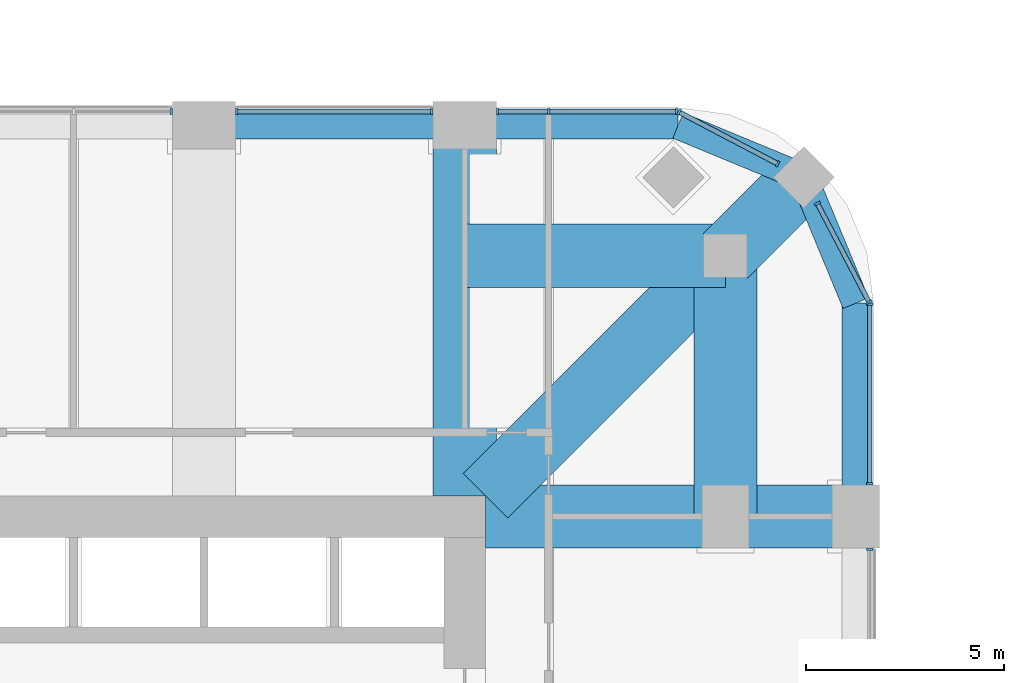
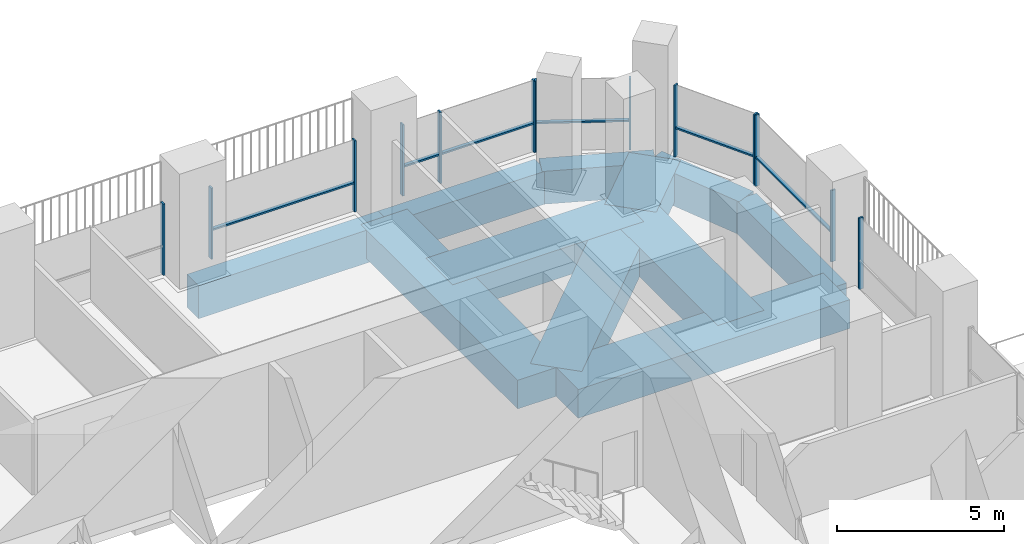
# One storey, part 7 of 20: 19 members, 11 beams, 7 elements without a shape of their own.
"""IFC4 building model written with IfcOpenShell, lengths in metres."""

from ifc_helpers import new_model, si_unit, direction, frame, origin, origin_2d, place, context, subcontext, project, spatial, rectangle, extrude, material, material_profile, profile_set, type_object, element, aggregate, save


model = new_model("IFC4")

# Units and contexts
model_context = context("Model", 3, precision=1e-05, world=origin(), true_north=direction((0.0, 1.0)))
body_context = subcontext(model_context, "Body", "Model", "MODEL_VIEW")
ifc_project = project(units=[si_unit("LENGTHUNIT", "METRE"), si_unit("AREAUNIT", "SQUARE_METRE"), si_unit("VOLUMEUNIT", "CUBIC_METRE"), si_unit("PLANEANGLEUNIT", "RADIAN"), si_unit("MASSUNIT", "GRAM", prefix="KILO")], contexts=[model_context])

# Site, building, storey
site_placement = place(None, origin())
site = spatial("IfcSite", under=ifc_project, at=site_placement, CompositionType="ELEMENT")
building_placement = place(site_placement, origin())
building = spatial("IfcBuilding", under=site, at=building_placement, Name="Cobogo Forest Laboratory Tower", CompositionType="ELEMENT")
storey_placement = place(building_placement, frame((0.0, 0.0, 210.300048828125)))
storey = spatial("IfcBuildingStorey", under=building, at=storey_placement, Name="L48", CompositionType="ELEMENT", Elevation=210.300048828125)

# Beams
ifc_material_1 = material(Name="Concrete HA-50 (C50/60)", Category="concrete")
ifc_material_profile_1 = material_profile(ifc_material_1, rectangle(XDim=1.60009765625, YDim=1.050048828125, at=origin_2d()), Name="RC 1600x1050")
ifc_profile_set_1 = profile_set([ifc_material_profile_1], Name="Concrete HA-50 (C50/60)")
beam_type_1 = type_object("IfcBeamType", Name="Laboratory floor wide beam 1600x1050", PredefinedType="BEAM", material=ifc_profile_set_1)
for number, where, z_axis, x_axis, name in (
    (1, (39.60009765625, 33.52490234375, -0.824951171875), (0.0, 1.0, 0.0), (-1.0, 0.0, 0.0), "RB8 R-7-N L48"),
    (2, (40.125, 33.0, -0.824951171875), (1.0, 0.0, 0.0), (0.0, 1.0, 0.0), "RB8 R-F-E L48"),
):
    element("IfcBeam", number, at=place(storey_placement, frame(where, z_axis=z_axis, x_axis=x_axis)), inside=storey, type_object=beam_type_1, Name=name, PredefinedType="BEAM", context=body_context, shape_type="SweptSolid", body=[
        extrude(rectangle(XDim=1.60009765625, YDim=1.050048828125, at=origin_2d()), origin(), (0.0, 0.0, 1.0), 9.375),
    ])
beam_1_placement = place(storey_placement, frame((46.199951171875, 39.60009765625, -0.824951171875), z_axis=(0.0, -1.0, 0.0), x_axis=(1.0, 0.0, 0.0)))
element("IfcBeam", 3, at=beam_1_placement, inside=storey, type_object=beam_type_1, Name="RB8 G-NE-XC L48", PredefinedType="BEAM", context=body_context, shape_type="SweptSolid", body=[
    extrude(rectangle(XDim=1.60009765625, YDim=1.050048828125, at=origin_2d()), origin(), (0.0, 0.0, 1.0), 6.60009765625),
])
beam_2_placement = place(storey_placement, frame((46.199951171875, 39.60009765625, -0.824951171875), z_axis=(-1.0, 0.0, 0.0), x_axis=(0.0, -1.0, 0.0)))
element("IfcBeam", 4, at=beam_2_placement, inside=storey, type_object=beam_type_1, Name="RB8 G-NE-YC L48", PredefinedType="BEAM", context=body_context, shape_type="SweptSolid", body=[
    extrude(rectangle(XDim=1.60009765625, YDim=1.050048828125, at=origin_2d()), origin(), (0.0, 0.0, 1.0), 6.599853515625),
])
beam_3_placement = place(storey_placement, frame((48.181884765625, 41.58203125, -0.824951171875), z_axis=(-0.707106781187, -0.707106781187, 0.0), x_axis=(0.707106781187, -0.707106781187, 0.0)))
element("IfcBeam", 5, at=beam_3_placement, inside=storey, type_object=beam_type_1, Name="RB8 G-NE-D1 L48", PredefinedType="BEAM", context=body_context, shape_type="SweptSolid", body=[
    extrude(rectangle(XDim=1.60009765625, YDim=1.050048828125, at=origin_2d()), origin(), (0.0, 0.0, 1.0), 2.802978515625),
])
beam_4_placement = place(storey_placement, frame((46.199951171875, 39.60009765625, -0.824951171875), z_axis=(-0.707092572697, -0.70712098939, 0.0), x_axis=(0.70712098939, -0.707092572697, 0.0)))
element("IfcBeam", 6, at=beam_4_placement, inside=storey, type_object=beam_type_1, Name="RB8 G-NE-D2 L48", PredefinedType="BEAM", context=body_context, shape_type="SweptSolid", body=[
    extrude(rectangle(XDim=1.60009765625, YDim=1.050048828125, at=origin_2d()), origin(), (0.0, 0.0, 1.0), 8.591552734375),
])

# Curtain wall, member
ifc_material_2 = material(Name="Aluminium curtain wall", Category="aluminium")
curtain_wall_type = type_object("IfcCurtainWallType", Name="CW-2 unitised curtain wall, solar control glazing, laboratory floors zones C and D", PredefinedType="USERDEFINED", material=ifc_material_2)
curtain_wall_1_placement = place(storey_placement, origin())
curtain_wall_1 = element("IfcCurtainWall", 7, at=curtain_wall_1_placement, inside=storey, type_object=curtain_wall_type, Name="Curtain wall 12 L48", ObjectType="UNITISED CURTAIN WALL", PredefinedType="USERDEFINED")
ifc_material_3 = material(Name="Aluminium mullion", Category="aluminium")
ifc_material_profile_2 = material_profile(ifc_material_3, rectangle(XDim=0.06005859375, YDim=0.159912109375, at=origin_2d()), Name="AL 60x160")
ifc_profile_set_2 = profile_set([ifc_material_profile_2], Name="Aluminium mullion")
member_type_1 = type_object("IfcMemberType", Name="MU-1 aluminium mullion 60x160", PredefinedType="MULLION", material=ifc_profile_set_2)
member_1_placement = place(storey_placement, frame((49.85009765625, 32.169921875, 0.0), z_axis=(0.0, 0.0, 1.0), x_axis=(0.0, 1.0, 0.0)))
member_1 = element("IfcMember", 8, at=member_1_placement, type_object=member_type_1, Name="CW-2 mullion 2", PredefinedType="MULLION", context=body_context, shape_type="SweptSolid", body=[
    extrude(rectangle(XDim=0.06005859375, YDim=0.159912109375, at=origin_2d()), origin(), (0.0, 0.0, 1.0), 2.599853515625),
])
aggregate(curtain_wall_1, [member_1])

# Curtain wall, members
curtain_wall_2_placement = place(storey_placement, origin())
curtain_wall_2 = element("IfcCurtainWall", 9, at=curtain_wall_2_placement, inside=storey, type_object=curtain_wall_type, Name="Curtain wall 13 L48", ObjectType="UNITISED CURTAIN WALL", PredefinedType="USERDEFINED")
member_2_placement = place(storey_placement, frame((49.85009765625, 33.830078125, 0.0), z_axis=(0.0, 0.0, 1.0), x_axis=(0.0, 1.0, 0.0)))
member_2 = element("IfcMember", 10, at=member_2_placement, type_object=member_type_1, Name="CW-2 mullion 1", PredefinedType="MULLION", context=body_context, shape_type="SweptSolid", body=[
    extrude(rectangle(XDim=0.06005859375, YDim=0.159912109375, at=origin_2d()), origin(), (0.0, 0.0, 1.0), 2.599853515625),
])
member_3_placement = place(storey_placement, frame((49.85009765625, 38.3701171875, 0.0), z_axis=(0.0, 0.0, 1.0), x_axis=(0.0, 1.0, 0.0)))
member_3 = element("IfcMember", 11, at=member_3_placement, type_object=member_type_1, Name="CW-2 mullion 2", PredefinedType="MULLION", context=body_context, shape_type="SweptSolid", body=[
    extrude(rectangle(XDim=0.06005859375, YDim=0.159912109375, at=origin_2d()), origin(), (0.0, 0.0, 1.0), 2.599853515625),
])

curtain_wall_3_placement = place(storey_placement, origin())
curtain_wall_3 = element("IfcCurtainWall", 12, at=curtain_wall_3_placement, inside=storey, type_object=curtain_wall_type, Name="Curtain wall 14 L48", ObjectType="UNITISED CURTAIN WALL", PredefinedType="USERDEFINED")
member_4_placement = place(storey_placement, frame((49.836181640625, 38.426513671875, 0.0), z_axis=(0.0, 0.0, 1.0), x_axis=(-0.464283804832, 0.885686484356, 0.0)))
member_4 = element("IfcMember", 13, at=member_4_placement, type_object=member_type_1, Name="CW-2 mullion 1", PredefinedType="MULLION", context=body_context, shape_type="SweptSolid", body=[
    extrude(rectangle(XDim=0.06005859375, YDim=0.159912109375, at=origin_2d()), origin(), (0.0, 0.0, 1.0), 2.599853515625),
])
member_5_placement = place(storey_placement, frame((48.526611328125, 40.924560546875, 0.0), z_axis=(0.0, 0.0, 1.0), x_axis=(-0.464283804832, 0.885686484356, 0.0)))
member_5 = element("IfcMember", 14, at=member_5_placement, type_object=member_type_1, Name="CW-2 mullion 2", PredefinedType="MULLION", context=body_context, shape_type="SweptSolid", body=[
    extrude(rectangle(XDim=0.06005859375, YDim=0.159912109375, at=origin_2d()), origin(), (0.0, 0.0, 1.0), 2.599853515625),
])

curtain_wall_4_placement = place(storey_placement, origin())
curtain_wall_4 = element("IfcCurtainWall", 15, at=curtain_wall_4_placement, inside=storey, type_object=curtain_wall_type, Name="Curtain wall 15 L48", ObjectType="UNITISED CURTAIN WALL", PredefinedType="USERDEFINED")
member_6_placement = place(storey_placement, frame((47.5244140625, 41.9267578125, 0.0), z_axis=(0.0, 0.0, 1.0), x_axis=(-0.885686484356, 0.464283804832, 0.0)))
member_6 = element("IfcMember", 16, at=member_6_placement, type_object=member_type_1, Name="CW-2 mullion 1", PredefinedType="MULLION", context=body_context, shape_type="SweptSolid", body=[
    extrude(rectangle(XDim=0.06005859375, YDim=0.159912109375, at=origin_2d()), origin(), (0.0, 0.0, 1.0), 2.599853515625),
])
member_7_placement = place(storey_placement, frame((45.026611328125, 43.236083984375, 0.0), z_axis=(0.0, 0.0, 1.0), x_axis=(-0.885686484356, 0.464283804832, 0.0)))
member_7 = element("IfcMember", 17, at=member_7_placement, type_object=member_type_1, Name="CW-2 mullion 2", PredefinedType="MULLION", context=body_context, shape_type="SweptSolid", body=[
    extrude(rectangle(XDim=0.06005859375, YDim=0.159912109375, at=origin_2d()), origin(), (0.0, 0.0, 1.0), 2.599853515625),
])

curtain_wall_5_placement = place(storey_placement, origin())
curtain_wall_5 = element("IfcCurtainWall", 18, at=curtain_wall_5_placement, inside=storey, type_object=curtain_wall_type, Name="Curtain wall 16 L48", ObjectType="UNITISED CURTAIN WALL", PredefinedType="USERDEFINED")
member_8_placement = place(storey_placement, frame((44.969970703125, 43.25, 0.0), z_axis=(0.0, 0.0, 1.0), x_axis=(-1.0, 0.0, 0.0)))
member_8 = element("IfcMember", 19, at=member_8_placement, type_object=member_type_1, Name="CW-2 mullion 1", PredefinedType="MULLION", context=body_context, shape_type="SweptSolid", body=[
    extrude(rectangle(XDim=0.06005859375, YDim=0.159912109375, at=origin_2d()), origin(), (0.0, 0.0, 1.0), 2.599853515625),
])
member_9_placement = place(storey_placement, frame((41.72509765625, 43.25, 0.0), z_axis=(0.0, 0.0, 1.0), x_axis=(-1.0, 0.0, 0.0)))
member_9 = element("IfcMember", 20, at=member_9_placement, type_object=member_type_1, Name="CW-2 mullion 2", PredefinedType="MULLION", context=body_context, shape_type="SweptSolid", body=[
    extrude(rectangle(XDim=0.06005859375, YDim=0.159912109375, at=origin_2d()), origin(), (0.0, 0.0, 1.0), 2.599853515625),
])
member_10_placement = place(storey_placement, frame((40.429931640625, 43.25, 0.0), z_axis=(0.0, 0.0, 1.0), x_axis=(-1.0, 0.0, 0.0)))
member_10 = element("IfcMember", 21, at=member_10_placement, type_object=member_type_1, Name="CW-2 mullion 3", PredefinedType="MULLION", context=body_context, shape_type="SweptSolid", body=[
    extrude(rectangle(XDim=0.06005859375, YDim=0.159912109375, at=origin_2d()), origin(), (0.0, 0.0, 1.0), 2.599853515625),
])

curtain_wall_6_placement = place(storey_placement, origin())
curtain_wall_6 = element("IfcCurtainWall", 22, at=curtain_wall_6_placement, inside=storey, type_object=curtain_wall_type, Name="Curtain wall 17 L48", ObjectType="UNITISED CURTAIN WALL", PredefinedType="USERDEFINED")
member_11_placement = place(storey_placement, frame((38.77001953125, 43.25, 0.0), z_axis=(0.0, 0.0, 1.0), x_axis=(-1.0, 0.0, 0.0)))
member_11 = element("IfcMember", 23, at=member_11_placement, type_object=member_type_1, Name="CW-2 mullion 1", PredefinedType="MULLION", context=body_context, shape_type="SweptSolid", body=[
    extrude(rectangle(XDim=0.06005859375, YDim=0.159912109375, at=origin_2d()), origin(), (0.0, 0.0, 1.0), 2.599853515625),
])
member_12_placement = place(storey_placement, frame((33.830078125, 43.25, 0.0), z_axis=(0.0, 0.0, 1.0), x_axis=(-1.0, 0.0, 0.0)))
member_12 = element("IfcMember", 24, at=member_12_placement, type_object=member_type_1, Name="CW-2 mullion 2", PredefinedType="MULLION", context=body_context, shape_type="SweptSolid", body=[
    extrude(rectangle(XDim=0.06005859375, YDim=0.159912109375, at=origin_2d()), origin(), (0.0, 0.0, 1.0), 2.599853515625),
])

# Curtain wall, member
curtain_wall_7_placement = place(storey_placement, origin())
curtain_wall_7 = element("IfcCurtainWall", 25, at=curtain_wall_7_placement, inside=storey, type_object=curtain_wall_type, Name="Curtain wall 18 L48", ObjectType="UNITISED CURTAIN WALL", PredefinedType="USERDEFINED")
member_13_placement = place(storey_placement, frame((32.169921875, 43.25, 0.0), z_axis=(0.0, 0.0, 1.0), x_axis=(-1.0, 0.0, 0.0)))
member_13 = element("IfcMember", 26, at=member_13_placement, type_object=member_type_1, Name="CW-2 mullion 1", PredefinedType="MULLION", context=body_context, shape_type="SweptSolid", body=[
    extrude(rectangle(XDim=0.06005859375, YDim=0.159912109375, at=origin_2d()), origin(), (0.0, 0.0, 1.0), 2.599853515625),
])
aggregate(curtain_wall_7, [member_13])

# Beams
ifc_material_4 = material(Name="Concrete HA-40 (C40/50)", Category="concrete")
ifc_material_profile_3 = material_profile(ifc_material_4, rectangle(XDim=0.699951171875, YDim=1.199951171875, at=origin_2d()), Name="RC 700x1200")
ifc_profile_set_3 = profile_set([ifc_material_profile_3], Name="Concrete HA-40 (C40/50)")
beam_type_2 = type_object("IfcBeamType", Name="Perimeter edge beam 700x1200", PredefinedType="BEAM", material=ifc_profile_set_3)
beam_5_placement = place(storey_placement, frame((33.0, 42.89990234375, -0.900146484375), z_axis=(1.0, 0.0, 0.0), x_axis=(0.0, 1.0, 0.0)))
element("IfcBeam", 27, at=beam_5_placement, inside=storey, type_object=beam_type_2, Name="EB1 E-N4 L48", PredefinedType="BEAM", context=body_context, shape_type="SweptSolid", body=[
    extrude(rectangle(XDim=0.699951171875, YDim=1.199951171875, at=origin_2d()), origin(), (0.0, 0.0, 1.0), 6.60009765625),
])
beam_6_placement = place(storey_placement, frame((49.5, 33.0, -0.900146484375), z_axis=(0.0, 1.0, 0.0), x_axis=(-1.0, 0.0, 0.0)))
element("IfcBeam", 28, at=beam_6_placement, inside=storey, type_object=beam_type_2, Name="EB1 E-NEE1 L48", PredefinedType="BEAM", context=body_context, shape_type="SweptSolid", body=[
    extrude(rectangle(XDim=0.699951171875, YDim=1.199951171875, at=origin_2d()), origin(), (0.0, 0.0, 1.0), 5.39990234375),
])
beam_7_placement = place(storey_placement, frame((49.5, 38.39990234375, -0.900146484375), z_axis=(-0.382691928466, 0.923876013265, 0.0), x_axis=(-0.923876013265, -0.382691928466, 0.0)))
element("IfcBeam", 29, at=beam_7_placement, inside=storey, type_object=beam_type_2, Name="EB1 E-NEE2 L48", PredefinedType="BEAM", context=body_context, shape_type="SweptSolid", body=[
    extrude(rectangle(XDim=0.699951171875, YDim=1.199951171875, at=origin_2d()), origin(), (0.0, 0.0, 1.0), 3.4443359375),
])
beam_8_placement = place(storey_placement, frame((39.60009765625, 42.89990234375, -0.900146484375), z_axis=(1.0, 0.0, 0.0), x_axis=(0.0, 1.0, 0.0)))
element("IfcBeam", 30, at=beam_8_placement, inside=storey, type_object=beam_type_2, Name="EB1 E-NEN1 L48", PredefinedType="BEAM", context=body_context, shape_type="SweptSolid", body=[
    extrude(rectangle(XDim=0.699951171875, YDim=1.199951171875, at=origin_2d()), origin(), (0.0, 0.0, 1.0), 5.39990234375),
])
beam_9_placement = place(storey_placement, frame((45.0, 42.89990234375, -0.900146484375), z_axis=(0.923890694089, -0.382656484822, 0.0), x_axis=(0.382656484822, 0.923890694089, 0.0)))
element("IfcBeam", 31, at=beam_9_placement, inside=storey, type_object=beam_type_2, Name="EB1 E-NEN2 L48", PredefinedType="BEAM", context=body_context, shape_type="SweptSolid", body=[
    extrude(rectangle(XDim=0.699951171875, YDim=1.199951171875, at=origin_2d()), origin(), (0.0, 0.0, 1.0), 3.444091796875),
])

# Member
ifc_material_5 = material(Name="Aluminium transom", Category="aluminium")
ifc_material_profile_4 = material_profile(ifc_material_5, rectangle(XDim=0.1201171875, YDim=0.06005859375, at=origin_2d()), Name="AL 60x120")
ifc_profile_set_4 = profile_set([ifc_material_profile_4], Name="Aluminium transom")
member_type_2 = type_object("IfcMemberType", Name="TR-1 aluminium transom 60x120", PredefinedType="USERDEFINED", material=ifc_profile_set_4)
member_14_placement = place(storey_placement, frame((49.85009765625, 33.860107421875, 1.050048828125), z_axis=(0.0, 1.0, 0.0), x_axis=(-1.0, 0.0, 0.0)))
member_14 = element("IfcMember", 32, at=member_14_placement, type_object=member_type_2, Name="CW-2 transom 1.1", ObjectType="TRANSOM", PredefinedType="USERDEFINED", context=body_context, shape_type="SweptSolid", body=[
    extrude(rectangle(XDim=0.1201171875, YDim=0.06005859375, at=origin_2d()), origin(), (0.0, 0.0, 1.0), 4.47998046875),
])

aggregate(curtain_wall_2, [member_2, member_3, member_14])

member_15_placement = place(storey_placement, frame((49.822021484375, 38.453125, 1.050048828125), z_axis=(-0.464254846591, 0.88570166389, 0.0), x_axis=(-0.88570166389, -0.464254846591, 0.0)))
member_15 = element("IfcMember", 33, at=member_15_placement, type_object=member_type_2, Name="CW-2 transom 1.1", ObjectType="TRANSOM", PredefinedType="USERDEFINED", context=body_context, shape_type="SweptSolid", body=[
    extrude(rectangle(XDim=0.1201171875, YDim=0.06005859375, at=origin_2d()), origin(), (0.0, 0.0, 1.0), 2.76025390625),
])

aggregate(curtain_wall_3, [member_4, member_5, member_15])

member_16_placement = place(storey_placement, frame((47.497802734375, 41.940673828125, 1.050048828125), z_axis=(-0.885682598583, 0.464291217414, 0.0), x_axis=(-0.464291217414, -0.885682598583, 0.0)))
member_16 = element("IfcMember", 34, at=member_16_placement, type_object=member_type_2, Name="CW-2 transom 1.1", ObjectType="TRANSOM", PredefinedType="USERDEFINED", context=body_context, shape_type="SweptSolid", body=[
    extrude(rectangle(XDim=0.1201171875, YDim=0.06005859375, at=origin_2d()), origin(), (0.0, 0.0, 1.0), 2.760009765625),
])

aggregate(curtain_wall_4, [member_6, member_7, member_16])

member_17_placement = place(storey_placement, frame((44.93994140625, 43.25, 1.050048828125), z_axis=(-1.0, 0.0, 0.0), x_axis=(0.0, -1.0, 0.0)))
member_17 = element("IfcMember", 35, at=member_17_placement, type_object=member_type_2, Name="CW-2 transom 1.1", ObjectType="TRANSOM", PredefinedType="USERDEFINED", context=body_context, shape_type="SweptSolid", body=[
    extrude(rectangle(XDim=0.1201171875, YDim=0.06005859375, at=origin_2d()), origin(), (0.0, 0.0, 1.0), 3.18505859375),
])

member_18_placement = place(storey_placement, frame((41.695068359375, 43.25, 1.050048828125), z_axis=(-1.0, 0.0, 0.0), x_axis=(0.0, -1.0, 0.0)))
member_18 = element("IfcMember", 36, at=member_18_placement, type_object=member_type_2, Name="CW-2 transom 2.1", ObjectType="TRANSOM", PredefinedType="USERDEFINED", context=body_context, shape_type="SweptSolid", body=[
    extrude(rectangle(XDim=0.1201171875, YDim=0.06005859375, at=origin_2d()), origin(), (0.0, 0.0, 1.0), 1.235107421875),
])

aggregate(curtain_wall_5, [member_8, member_9, member_10, member_17, member_18])

member_19_placement = place(storey_placement, frame((38.739990234375, 43.25, 1.050048828125), z_axis=(-1.0, 0.0, 0.0), x_axis=(0.0, -1.0, 0.0)))
member_19 = element("IfcMember", 37, at=member_19_placement, type_object=member_type_2, Name="CW-2 transom 1.1", ObjectType="TRANSOM", PredefinedType="USERDEFINED", context=body_context, shape_type="SweptSolid", body=[
    extrude(rectangle(XDim=0.1201171875, YDim=0.06005859375, at=origin_2d()), origin(), (0.0, 0.0, 1.0), 4.8798828125),
])

aggregate(curtain_wall_6, [member_11, member_12, member_19])

save(model, "model.ifc")
